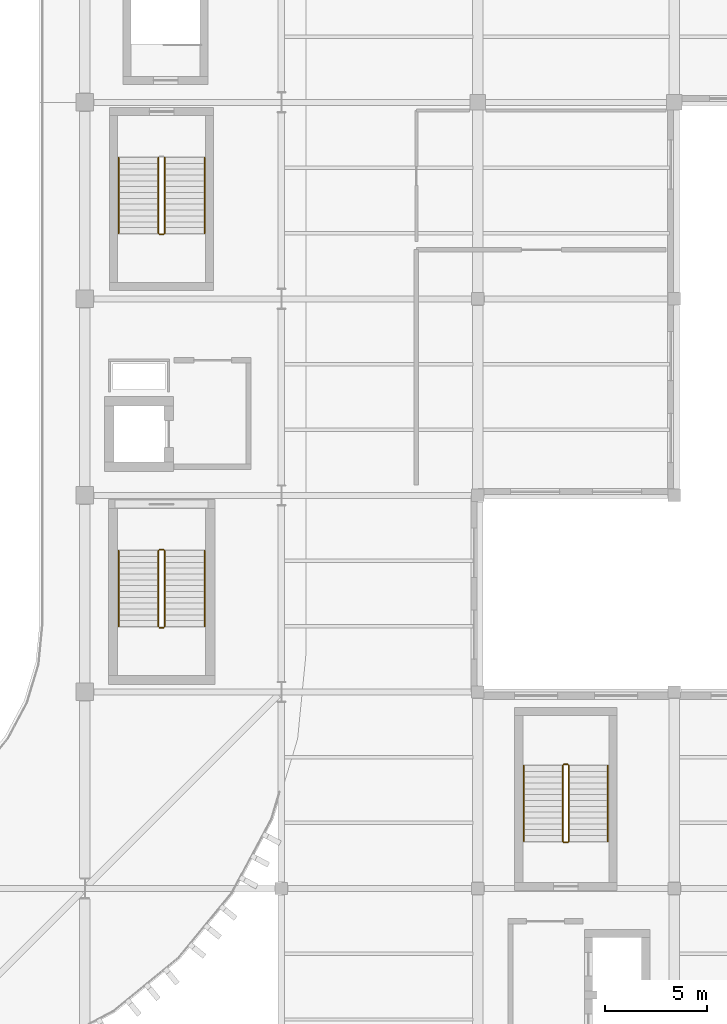
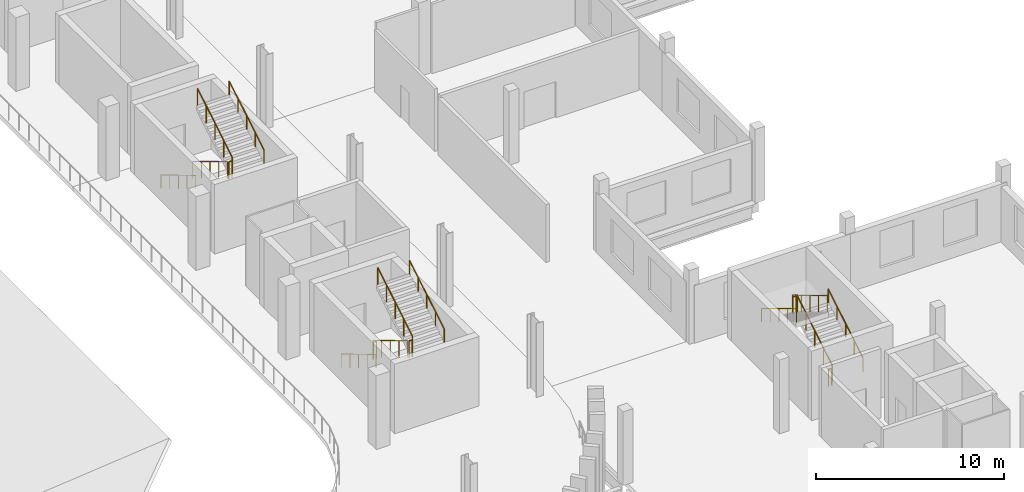
# One storey, part 93 of 99: 17 railings.
"""IFC4 building model written with IfcOpenShell, lengths in metres."""

from ifc_helpers import new_model, si_unit, direction, frame, origin, origin_2d, place, context, subcontext, project, spatial, circle, extrude, material, type_object, element, save


model = new_model("IFC4")

# Units and contexts
model_context = context("Model", 3, precision=1e-05, world=origin(), true_north=direction((0.0, 1.0)))
body_context = subcontext(model_context, "Body", "Model", "MODEL_VIEW")
ifc_project = project(units=[si_unit("LENGTHUNIT", "METRE"), si_unit("AREAUNIT", "SQUARE_METRE"), si_unit("VOLUMEUNIT", "CUBIC_METRE"), si_unit("PLANEANGLEUNIT", "RADIAN"), si_unit("MASSUNIT", "GRAM", prefix="KILO")], contexts=[model_context])

# Site, building, storey
site_placement = place(None, origin())
site = spatial("IfcSite", under=ifc_project, at=site_placement, CompositionType="ELEMENT")
building_placement = place(site_placement, origin())
building = spatial("IfcBuilding", under=site, at=building_placement, Name="Caelomonte Colonnade Arena", CompositionType="ELEMENT")
storey_placement = place(building_placement, frame((0.0, 0.0, 4.800048828125)))
storey = spatial("IfcBuildingStorey", under=building, at=storey_placement, Name="L01", CompositionType="ELEMENT", Elevation=4.800048828125)

# Railings
ifc_material_1 = material(Name="Painted galvanized steel stair guard", Category="steel")
railing_type_1 = type_object("IfcRailingType", Name="INT-RL-GRD", PredefinedType="GUARDRAIL", material=ifc_material_1)
railing_1_placement = place(storey_placement, frame((157.199951171875, 45.300048828125, 0.17138671875)))
element("IfcRailing", 1, at=railing_1_placement, inside=storey, type_object=railing_type_1, Name="L01 ST-02 stair guard 1", PredefinedType="GUARDRAIL", context=body_context, shape_type="SweptSolid", body=[
    extrude(circle(Radius=0.02392578125, at=origin_2d()), frame((0.0, 0.0, 1.076171875), z_axis=(0.0, -0.856934400257, 0.515425487977), x_axis=(1.0, 0.0, 0.0)), (0.0, 0.0, 1.0), 4.32373046875),
    extrude(circle(Radius=0.02099609375, at=origin_2d()), origin(), (0.0, 0.0, 1.0), 1.048095703125),
    extrude(circle(Radius=0.02099609375, at=origin_2d()), frame((0.0, -0.92626953125, 0.55712890625)), (0.0, 0.0, 1.0), 1.048095703125),
    extrude(circle(Radius=0.02099609375, at=origin_2d()), frame((0.0, -1.8525390625, 1.1142578125)), (0.0, 0.0, 1.0), 1.048095703125),
    extrude(circle(Radius=0.02099609375, at=origin_2d()), frame((0.0, -2.77880859375, 1.67138671875)), (0.0, 0.0, 1.0), 1.048095703125),
    extrude(circle(Radius=0.02099609375, at=origin_2d()), frame((0.0, -3.705078125, 2.228515625)), (0.0, 0.0, 1.0), 1.048095703125),
])
railing_2_placement = place(storey_placement, frame((157.25, 41.544921875, 2.39990234375)))
element("IfcRailing", 2, at=railing_2_placement, inside=storey, type_object=railing_type_1, Name="L01 ST-02 stair guard 2", PredefinedType="GUARDRAIL", context=body_context, shape_type="SweptSolid", body=[
    extrude(circle(Radius=0.02392578125, at=origin_2d()), frame((0.0, 0.0, 1.076171875), z_axis=(1.0, 0.0, 0.0), x_axis=(0.0, 1.0, 0.0)), (0.0, 0.0, 1.0), 0.199951171875),
    extrude(circle(Radius=0.02099609375, at=origin_2d()), origin(), (0.0, 0.0, 1.0), 1.048095703125),
    extrude(circle(Radius=0.02099609375, at=origin_2d()), frame((0.199951171875, 0.0, 0.0)), (0.0, 0.0, 1.0), 1.048095703125),
])
railing_3_placement = place(storey_placement, frame((157.5, 41.594970703125, 2.5712890625)))
element("IfcRailing", 3, at=railing_3_placement, inside=storey, type_object=railing_type_1, Name="L01 ST-02 stair guard 3", PredefinedType="GUARDRAIL", context=body_context, shape_type="SweptSolid", body=[
    extrude(circle(Radius=0.02392578125, at=origin_2d()), frame((0.0, 0.0, 1.076171875), z_axis=(0.0, 0.856909459561, 0.515466951525), x_axis=(-1.0, 0.0, 0.0)), (0.0, 0.0, 1.0), 4.32373046875),
    extrude(circle(Radius=0.02099609375, at=origin_2d()), origin(), (0.0, 0.0, 1.0), 1.048095703125),
    extrude(circle(Radius=0.02099609375, at=origin_2d()), frame((0.0, 0.92626953125, 0.55712890625)), (0.0, 0.0, 1.0), 1.048095703125),
    extrude(circle(Radius=0.02099609375, at=origin_2d()), frame((0.0, 1.8525390625, 1.1142578125)), (0.0, 0.0, 1.0), 1.048095703125),
    extrude(circle(Radius=0.02099609375, at=origin_2d()), frame((0.0, 2.77880859375, 1.671630859375)), (0.0, 0.0, 1.0), 1.048095703125),
    extrude(circle(Radius=0.02099609375, at=origin_2d()), frame((0.0, 3.705078125, 2.228759765625)), (0.0, 0.0, 1.0), 1.048095703125),
])
railing_4_placement = place(storey_placement, frame((157.25, 45.35009765625, 0.0)))
element("IfcRailing", 4, at=railing_4_placement, inside=storey, type_object=railing_type_1, Name="L01 ST-02 stair guard 4", PredefinedType="GUARDRAIL", context=body_context, shape_type="SweptSolid", body=[
    extrude(circle(Radius=0.02392578125, at=origin_2d()), frame((0.0, 0.0, 1.076171875), z_axis=(1.0, 0.0, 0.0), x_axis=(0.0, 1.0, 0.0)), (0.0, 0.0, 1.0), 0.199951171875),
    extrude(circle(Radius=0.02099609375, at=origin_2d()), origin(), (0.0, 0.0, 1.0), 1.048095703125),
    extrude(circle(Radius=0.02099609375, at=origin_2d()), frame((0.199951171875, 0.0, 0.0)), (0.0, 0.0, 1.0), 1.048095703125),
])
railing_5_placement = place(storey_placement, frame((177.25, 31.10009765625, 0.17138671875)))
element("IfcRailing", 5, at=railing_5_placement, inside=storey, type_object=railing_type_1, Name="L01 ST-05 stair guard 1", PredefinedType="GUARDRAIL", context=body_context, shape_type="SweptSolid", body=[
    extrude(circle(Radius=0.02392578125, at=origin_2d()), frame((0.0, 0.0, 1.076171875), z_axis=(0.0, 0.856919398105, 0.515450429384), x_axis=(-1.0, 0.0, 0.0)), (0.0, 0.0, 1.0), 4.323486328125),
    extrude(circle(Radius=0.02099609375, at=origin_2d()), origin(), (0.0, 0.0, 1.0), 1.048095703125),
    extrude(circle(Radius=0.02099609375, at=origin_2d()), frame((0.0, 0.92626953125, 0.55712890625)), (0.0, 0.0, 1.0), 1.048095703125),
    extrude(circle(Radius=0.02099609375, at=origin_2d()), frame((0.0, 1.8525390625, 1.1142578125)), (0.0, 0.0, 1.0), 1.048095703125),
    extrude(circle(Radius=0.02099609375, at=origin_2d()), frame((0.0, 2.778564453125, 1.67138671875)), (0.0, 0.0, 1.0), 1.048095703125),
    extrude(circle(Radius=0.02099609375, at=origin_2d()), frame((0.0, 3.704833984375, 2.228515625)), (0.0, 0.0, 1.0), 1.048095703125),
])
railing_6_placement = place(storey_placement, frame((177.199951171875, 34.85498046875, 2.39990234375)))
element("IfcRailing", 6, at=railing_6_placement, inside=storey, type_object=railing_type_1, Name="L01 ST-05 stair guard 2", PredefinedType="GUARDRAIL", context=body_context, shape_type="SweptSolid", body=[
    extrude(circle(Radius=0.02392578125, at=origin_2d()), frame((0.0, 0.0, 1.076171875), z_axis=(-1.0, 0.0, 0.0), x_axis=(0.0, -1.0, 0.0)), (0.0, 0.0, 1.0), 0.199951171875),
    extrude(circle(Radius=0.02099609375, at=origin_2d()), origin(), (0.0, 0.0, 1.0), 1.048095703125),
    extrude(circle(Radius=0.02099609375, at=origin_2d()), frame((-0.199951171875, 0.0, 0.0)), (0.0, 0.0, 1.0), 1.048095703125),
])
railing_7_placement = place(storey_placement, frame((176.949951171875, 34.804931640625, 2.5712890625)))
element("IfcRailing", 7, at=railing_7_placement, inside=storey, type_object=railing_type_1, Name="L01 ST-05 stair guard 3", PredefinedType="GUARDRAIL", context=body_context, shape_type="SweptSolid", body=[
    extrude(circle(Radius=0.02392578125, at=origin_2d()), frame((0.0, 0.0, 1.076171875), z_axis=(0.0, -0.856894455432, 0.515491893485), x_axis=(1.0, 0.0, 0.0)), (0.0, 0.0, 1.0), 4.323486328125),
    extrude(circle(Radius=0.02099609375, at=origin_2d()), origin(), (0.0, 0.0, 1.0), 1.048095703125),
    extrude(circle(Radius=0.02099609375, at=origin_2d()), frame((0.0, -0.92626953125, 0.55712890625)), (0.0, 0.0, 1.0), 1.048095703125),
    extrude(circle(Radius=0.02099609375, at=origin_2d()), frame((0.0, -1.8525390625, 1.1142578125)), (0.0, 0.0, 1.0), 1.048095703125),
    extrude(circle(Radius=0.02099609375, at=origin_2d()), frame((0.0, -2.778564453125, 1.671630859375)), (0.0, 0.0, 1.0), 1.048095703125),
    extrude(circle(Radius=0.02099609375, at=origin_2d()), frame((0.0, -3.704833984375, 2.228759765625)), (0.0, 0.0, 1.0), 1.048095703125),
])
railing_8_placement = place(storey_placement, frame((177.199951171875, 31.050048828125, 0.0)))
element("IfcRailing", 8, at=railing_8_placement, inside=storey, type_object=railing_type_1, Name="L01 ST-05 stair guard 4", PredefinedType="GUARDRAIL", context=body_context, shape_type="SweptSolid", body=[
    extrude(circle(Radius=0.02392578125, at=origin_2d()), frame((0.0, 0.0, 1.076171875), z_axis=(-1.0, 0.0, 0.0), x_axis=(0.0, -1.0, 0.0)), (0.0, 0.0, 1.0), 0.199951171875),
    extrude(circle(Radius=0.02099609375, at=origin_2d()), origin(), (0.0, 0.0, 1.0), 1.048095703125),
    extrude(circle(Radius=0.02099609375, at=origin_2d()), frame((-0.199951171875, 0.0, 0.0)), (0.0, 0.0, 1.0), 1.048095703125),
])
railing_9_placement = place(storey_placement, frame((157.199951171875, 64.5, 0.17138671875)))
element("IfcRailing", 9, at=railing_9_placement, inside=storey, type_object=railing_type_1, Name="L01 ST-10 stair guard 1", PredefinedType="GUARDRAIL", context=body_context, shape_type="SweptSolid", body=[
    extrude(circle(Radius=0.02392578125, at=origin_2d()), frame((0.0, 0.0, 1.076171875), z_axis=(0.0, -0.856934400257, 0.515425487977), x_axis=(1.0, 0.0, 0.0)), (0.0, 0.0, 1.0), 4.32373046875),
    extrude(circle(Radius=0.02099609375, at=origin_2d()), origin(), (0.0, 0.0, 1.0), 1.048095703125),
    extrude(circle(Radius=0.02099609375, at=origin_2d()), frame((0.0, -0.92626953125, 0.55712890625)), (0.0, 0.0, 1.0), 1.048095703125),
    extrude(circle(Radius=0.02099609375, at=origin_2d()), frame((0.0, -1.8525390625, 1.1142578125)), (0.0, 0.0, 1.0), 1.048095703125),
    extrude(circle(Radius=0.02099609375, at=origin_2d()), frame((0.0, -2.77880859375, 1.67138671875)), (0.0, 0.0, 1.0), 1.048095703125),
    extrude(circle(Radius=0.02099609375, at=origin_2d()), frame((0.0, -3.705078125, 2.228515625)), (0.0, 0.0, 1.0), 1.048095703125),
])
railing_10_placement = place(storey_placement, frame((157.25, 60.7451171875, 2.39990234375)))
element("IfcRailing", 10, at=railing_10_placement, inside=storey, type_object=railing_type_1, Name="L01 ST-10 stair guard 2", PredefinedType="GUARDRAIL", context=body_context, shape_type="SweptSolid", body=[
    extrude(circle(Radius=0.02392578125, at=origin_2d()), frame((0.0, 0.0, 1.076171875), z_axis=(1.0, 0.0, 0.0), x_axis=(0.0, 1.0, 0.0)), (0.0, 0.0, 1.0), 0.199951171875),
    extrude(circle(Radius=0.02099609375, at=origin_2d()), origin(), (0.0, 0.0, 1.0), 1.048095703125),
    extrude(circle(Radius=0.02099609375, at=origin_2d()), frame((0.199951171875, 0.0, 0.0)), (0.0, 0.0, 1.0), 1.048095703125),
])
railing_11_placement = place(storey_placement, frame((157.5, 60.794921875, 2.5712890625)))
element("IfcRailing", 11, at=railing_11_placement, inside=storey, type_object=railing_type_1, Name="L01 ST-10 stair guard 3", PredefinedType="GUARDRAIL", context=body_context, shape_type="SweptSolid", body=[
    extrude(circle(Radius=0.02392578125, at=origin_2d()), frame((0.0, 0.0, 1.076171875), z_axis=(0.0, 0.856909459561, 0.515466951525), x_axis=(-1.0, 0.0, 0.0)), (0.0, 0.0, 1.0), 4.32373046875),
    extrude(circle(Radius=0.02099609375, at=origin_2d()), origin(), (0.0, 0.0, 1.0), 1.048095703125),
    extrude(circle(Radius=0.02099609375, at=origin_2d()), frame((0.0, 0.92626953125, 0.55712890625)), (0.0, 0.0, 1.0), 1.048095703125),
    extrude(circle(Radius=0.02099609375, at=origin_2d()), frame((0.0, 1.8525390625, 1.1142578125)), (0.0, 0.0, 1.0), 1.048095703125),
    extrude(circle(Radius=0.02099609375, at=origin_2d()), frame((0.0, 2.77880859375, 1.671630859375)), (0.0, 0.0, 1.0), 1.048095703125),
    extrude(circle(Radius=0.02099609375, at=origin_2d()), frame((0.0, 3.705078125, 2.228759765625)), (0.0, 0.0, 1.0), 1.048095703125),
])
ifc_material_2 = material(Name="Brushed stainless steel stair handrail", Category="steel")
railing_type_2 = type_object("IfcRailingType", Name="INT-RL-HR", PredefinedType="HANDRAIL", material=ifc_material_2)
railing_12_placement = place(storey_placement, frame((155.25, 45.300048828125, 0.17138671875)))
element("IfcRailing", 12, at=railing_12_placement, inside=storey, type_object=railing_type_2, Name="L01 ST-02 stair handrail 1", PredefinedType="HANDRAIL", context=body_context, shape_type="SweptSolid", body=[
    extrude(circle(Radius=0.02392578125, at=origin_2d()), frame((0.0, 0.0, 0.8759765625), z_axis=(0.0, -0.856934400257, 0.515425487977), x_axis=(1.0, 0.0, 0.0)), (0.0, 0.0, 1.0), 4.32373046875),
    extrude(circle(Radius=0.02099609375, at=origin_2d()), origin(), (0.0, 0.0, 1.0), 0.847900390625),
    extrude(circle(Radius=0.02099609375, at=origin_2d()), frame((0.0, -0.92626953125, 0.55712890625)), (0.0, 0.0, 1.0), 0.847900390625),
    extrude(circle(Radius=0.02099609375, at=origin_2d()), frame((0.0, -1.8525390625, 1.1142578125)), (0.0, 0.0, 1.0), 0.847900390625),
    extrude(circle(Radius=0.02099609375, at=origin_2d()), frame((0.0, -2.77880859375, 1.67138671875)), (0.0, 0.0, 1.0), 0.847900390625),
    extrude(circle(Radius=0.02099609375, at=origin_2d()), frame((0.0, -3.705078125, 2.228515625)), (0.0, 0.0, 1.0), 0.847900390625),
])
railing_13_placement = place(storey_placement, frame((159.449951171875, 41.594970703125, 2.5712890625)))
element("IfcRailing", 13, at=railing_13_placement, inside=storey, type_object=railing_type_2, Name="L01 ST-02 stair handrail 2", PredefinedType="HANDRAIL", context=body_context, shape_type="SweptSolid", body=[
    extrude(circle(Radius=0.02392578125, at=origin_2d()), frame((0.0, 0.0, 0.8759765625), z_axis=(0.0, 0.856909459561, 0.515466951525), x_axis=(-1.0, 0.0, 0.0)), (0.0, 0.0, 1.0), 4.32373046875),
    extrude(circle(Radius=0.02099609375, at=origin_2d()), origin(), (0.0, 0.0, 1.0), 0.847900390625),
    extrude(circle(Radius=0.02099609375, at=origin_2d()), frame((0.0, 0.92626953125, 0.55712890625)), (0.0, 0.0, 1.0), 0.847900390625),
    extrude(circle(Radius=0.02099609375, at=origin_2d()), frame((0.0, 1.8525390625, 1.1142578125)), (0.0, 0.0, 1.0), 0.847900390625),
    extrude(circle(Radius=0.02099609375, at=origin_2d()), frame((0.0, 2.77880859375, 1.671630859375)), (0.0, 0.0, 1.0), 0.847900390625),
    extrude(circle(Radius=0.02099609375, at=origin_2d()), frame((0.0, 3.705078125, 2.228759765625)), (0.0, 0.0, 1.0), 0.847900390625),
])
railing_14_placement = place(storey_placement, frame((179.14990234375, 31.10009765625, 0.17138671875)))
element("IfcRailing", 14, at=railing_14_placement, inside=storey, type_object=railing_type_2, Name="L01 ST-05 stair handrail 1", PredefinedType="HANDRAIL", context=body_context, shape_type="SweptSolid", body=[
    extrude(circle(Radius=0.02392578125, at=origin_2d()), frame((0.0, 0.0, 0.8759765625), z_axis=(0.0, 0.856919398105, 0.515450429384), x_axis=(-1.0, 0.0, 0.0)), (0.0, 0.0, 1.0), 4.323486328125),
    extrude(circle(Radius=0.02099609375, at=origin_2d()), origin(), (0.0, 0.0, 1.0), 0.847900390625),
    extrude(circle(Radius=0.02099609375, at=origin_2d()), frame((0.0, 0.92626953125, 0.55712890625)), (0.0, 0.0, 1.0), 0.847900390625),
    extrude(circle(Radius=0.02099609375, at=origin_2d()), frame((0.0, 1.8525390625, 1.1142578125)), (0.0, 0.0, 1.0), 0.847900390625),
    extrude(circle(Radius=0.02099609375, at=origin_2d()), frame((0.0, 2.778564453125, 1.67138671875)), (0.0, 0.0, 1.0), 0.847900390625),
    extrude(circle(Radius=0.02099609375, at=origin_2d()), frame((0.0, 3.704833984375, 2.228515625)), (0.0, 0.0, 1.0), 0.847900390625),
])
railing_15_placement = place(storey_placement, frame((175.050048828125, 34.804931640625, 2.5712890625)))
element("IfcRailing", 15, at=railing_15_placement, inside=storey, type_object=railing_type_2, Name="L01 ST-05 stair handrail 2", PredefinedType="HANDRAIL", context=body_context, shape_type="SweptSolid", body=[
    extrude(circle(Radius=0.02392578125, at=origin_2d()), frame((0.0, 0.0, 0.8759765625), z_axis=(0.0, -0.856894455432, 0.515491893485), x_axis=(1.0, 0.0, 0.0)), (0.0, 0.0, 1.0), 4.323486328125),
    extrude(circle(Radius=0.02099609375, at=origin_2d()), origin(), (0.0, 0.0, 1.0), 0.847900390625),
    extrude(circle(Radius=0.02099609375, at=origin_2d()), frame((0.0, -0.92626953125, 0.55712890625)), (0.0, 0.0, 1.0), 0.847900390625),
    extrude(circle(Radius=0.02099609375, at=origin_2d()), frame((0.0, -1.8525390625, 1.1142578125)), (0.0, 0.0, 1.0), 0.847900390625),
    extrude(circle(Radius=0.02099609375, at=origin_2d()), frame((0.0, -2.778564453125, 1.671630859375)), (0.0, 0.0, 1.0), 0.847900390625),
    extrude(circle(Radius=0.02099609375, at=origin_2d()), frame((0.0, -3.704833984375, 2.228759765625)), (0.0, 0.0, 1.0), 0.847900390625),
])
railing_16_placement = place(storey_placement, frame((155.25, 64.5, 0.17138671875)))
element("IfcRailing", 16, at=railing_16_placement, inside=storey, type_object=railing_type_2, Name="L01 ST-10 stair handrail 1", PredefinedType="HANDRAIL", context=body_context, shape_type="SweptSolid", body=[
    extrude(circle(Radius=0.02392578125, at=origin_2d()), frame((0.0, 0.0, 0.8759765625), z_axis=(0.0, -0.856934400257, 0.515425487977), x_axis=(1.0, 0.0, 0.0)), (0.0, 0.0, 1.0), 4.32373046875),
    extrude(circle(Radius=0.02099609375, at=origin_2d()), origin(), (0.0, 0.0, 1.0), 0.847900390625),
    extrude(circle(Radius=0.02099609375, at=origin_2d()), frame((0.0, -0.92626953125, 0.55712890625)), (0.0, 0.0, 1.0), 0.847900390625),
    extrude(circle(Radius=0.02099609375, at=origin_2d()), frame((0.0, -1.8525390625, 1.1142578125)), (0.0, 0.0, 1.0), 0.847900390625),
    extrude(circle(Radius=0.02099609375, at=origin_2d()), frame((0.0, -2.77880859375, 1.67138671875)), (0.0, 0.0, 1.0), 0.847900390625),
    extrude(circle(Radius=0.02099609375, at=origin_2d()), frame((0.0, -3.705078125, 2.228515625)), (0.0, 0.0, 1.0), 0.847900390625),
])
railing_17_placement = place(storey_placement, frame((159.449951171875, 60.794921875, 2.5712890625)))
element("IfcRailing", 17, at=railing_17_placement, inside=storey, type_object=railing_type_2, Name="L01 ST-10 stair handrail 2", PredefinedType="HANDRAIL", context=body_context, shape_type="SweptSolid", body=[
    extrude(circle(Radius=0.02392578125, at=origin_2d()), frame((0.0, 0.0, 0.8759765625), z_axis=(0.0, 0.856909459561, 0.515466951525), x_axis=(-1.0, 0.0, 0.0)), (0.0, 0.0, 1.0), 4.32373046875),
    extrude(circle(Radius=0.02099609375, at=origin_2d()), origin(), (0.0, 0.0, 1.0), 0.847900390625),
    extrude(circle(Radius=0.02099609375, at=origin_2d()), frame((0.0, 0.92626953125, 0.55712890625)), (0.0, 0.0, 1.0), 0.847900390625),
    extrude(circle(Radius=0.02099609375, at=origin_2d()), frame((0.0, 1.8525390625, 1.1142578125)), (0.0, 0.0, 1.0), 0.847900390625),
    extrude(circle(Radius=0.02099609375, at=origin_2d()), frame((0.0, 2.77880859375, 1.671630859375)), (0.0, 0.0, 1.0), 0.847900390625),
    extrude(circle(Radius=0.02099609375, at=origin_2d()), frame((0.0, 3.705078125, 2.228759765625)), (0.0, 0.0, 1.0), 0.847900390625),
])

save(model, "model.ifc")
